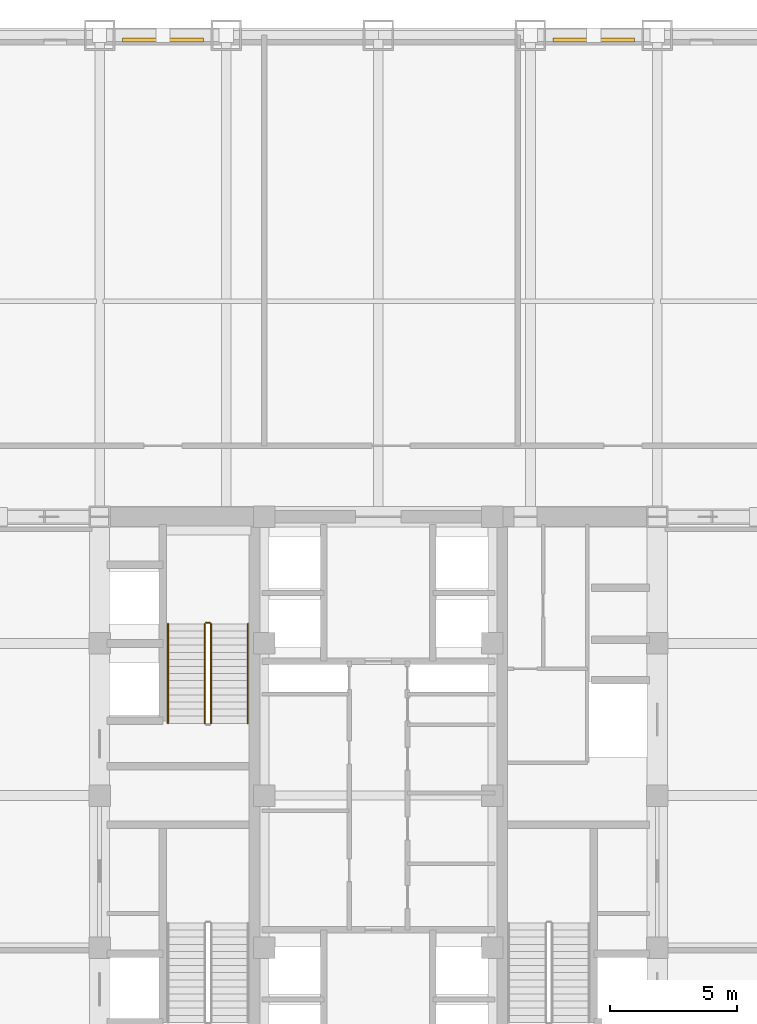
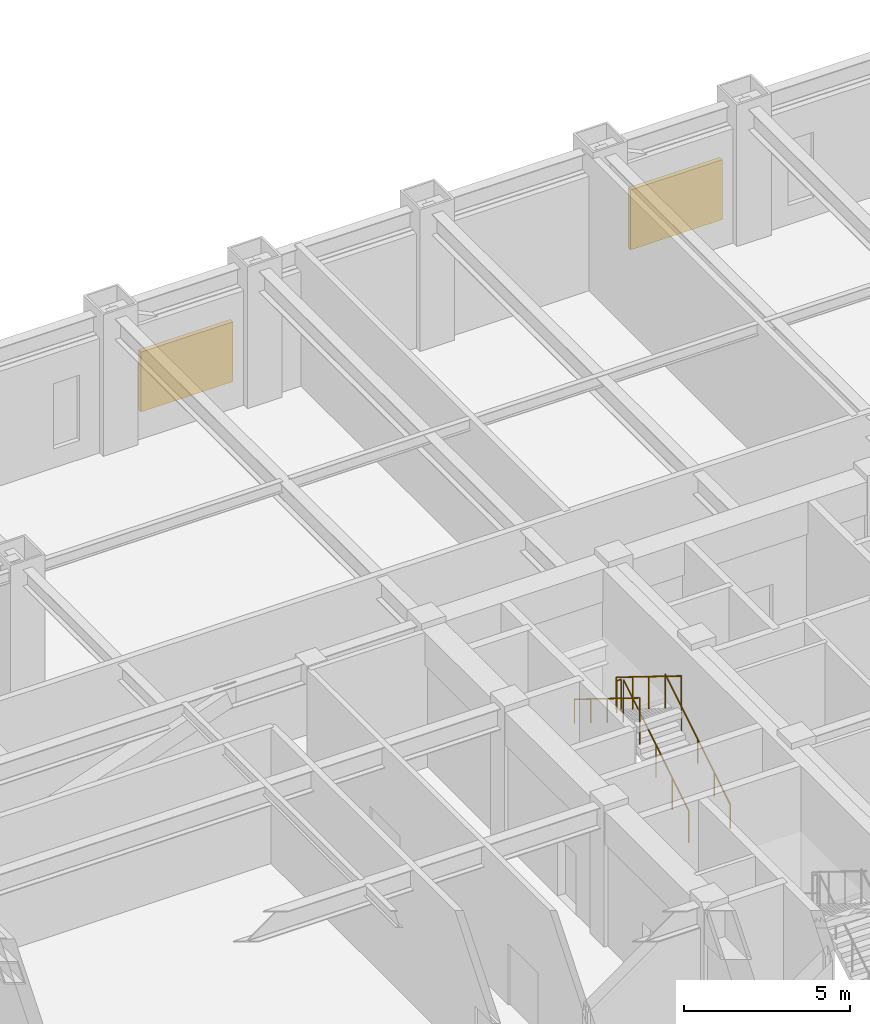
# One storey, part 12 of 12: 5 railings, 2 shading devices.
"""IFC4 building model written with IfcOpenShell, lengths in metres."""

from ifc_helpers import new_model, si_unit, direction, frame, origin, origin_2d, place, context, subcontext, project, spatial, rectangle, circle, extrude, source, transform, mapped, material, layer, layer_set, type_object, element, save


model = new_model("IFC4")

# Units and contexts
model_context = context("Model", 3, precision=1e-05, world=origin(), true_north=direction((0.0, 1.0)))
body_context = subcontext(model_context, "Body", "Model", "MODEL_VIEW")
ifc_project = project(units=[si_unit("LENGTHUNIT", "METRE"), si_unit("AREAUNIT", "SQUARE_METRE"), si_unit("VOLUMEUNIT", "CUBIC_METRE"), si_unit("PLANEANGLEUNIT", "RADIAN"), si_unit("MASSUNIT", "GRAM", prefix="KILO")], contexts=[model_context])

# Site, building, storey
site_placement = place(None, origin())
site = spatial("IfcSite", under=ifc_project, at=site_placement, CompositionType="ELEMENT")
building_placement = place(site_placement, origin())
building = spatial("IfcBuilding", under=site, at=building_placement, Name="Khorayat Bourse Tower", CompositionType="ELEMENT")
storey_placement = place(building_placement, frame((0.0, 0.0, 149.89990234375)))
storey = spatial("IfcBuildingStorey", under=building, at=storey_placement, Name="L34", CompositionType="ELEMENT", Elevation=149.89990234375)

# Shading devices
ifc_material_1 = material(Name="Anodised champagne aluminium", Category="aluminium")
ifc_layer = layer(ifc_material_1, 0.14990234375)
ifc_layer_set = layer_set([ifc_layer], Name="Anodised champagne aluminium")
shading_device_type = type_object("IfcShadingDeviceType", Name="SHD-PLANT-LOUVRE", PredefinedType="JALOUSIE", material=ifc_layer_set)
shared_shape_1 = source(origin(), body_context, "Body", "SweptSolid", [
    extrude(rectangle(XDim=3.199951171875, YDim=0.14990234375, at=origin_2d()), origin(), (0.0, 0.0, 1.0), 2.199951171875),
])
for number, where, z_axis, x_axis, name in (
    (1, (-8.5, 29.81005859375, 0.89990234375), (0.0, 0.0, 1.0), (1.0, 0.0, 0.0), "L34 Acoustic Plant Intake Louvre N-1"),
    (2, (8.5, 29.81005859375, 0.89990234375), (0.0, 0.0, 1.0), (1.0, 0.0, 0.0), "L34 Acoustic Plant Intake Louvre N-2"),
):
    element("IfcShadingDevice", number, at=place(storey_placement, frame(where, z_axis=z_axis, x_axis=x_axis)), inside=storey, type_object=shading_device_type, Name=name, PredefinedType="JALOUSIE", context=body_context, shape_type="MappedRepresentation", body=[
        mapped(shared_shape_1, transform((0.0, 0.0, 0.0), scale=1.0)),
    ])

# Railings
ifc_material_2 = material(Name="Powder-coated steel balustrade", Category="steel")
railing_type_1 = type_object("IfcRailingType", Name="RLG-GUARD-1200", PredefinedType="GUARDRAIL", material=ifc_material_2)
shared_shape_2 = source(origin(), body_context, "Body", "SweptSolid", [
    extrude(circle(Radius=0.02392578125, at=origin_2d()), frame((0.0, 0.0, 1.17578125), z_axis=(-1.0, 0.0, 0.0), x_axis=(0.0, -1.0, 0.0)), (0.0, 0.0, 1.0), 0.150146484375),
    extrude(circle(Radius=0.02099609375, at=origin_2d()), origin(), (0.0, 0.0, 1.0), 1.15185546875),
    extrude(circle(Radius=0.02099609375, at=origin_2d()), frame((-0.150146484375, 0.0, 0.0)), (0.0, 0.0, 1.0), 1.15185546875),
])
railing_1_placement = place(storey_placement, frame((-6.64990234375, 6.820068359375, 2.60009765625)))
element("IfcRailing", 3, at=railing_1_placement, inside=storey, type_object=railing_type_1, Name="L34 ST-2 stair guard 2", PredefinedType="GUARDRAIL", context=body_context, shape_type="MappedRepresentation", body=[
    mapped(shared_shape_2, transform((0.0, 0.0, 0.0), scale=1.0)),
])
shared_shape_3 = source(origin(), body_context, "Body", "SweptSolid", [
    extrude(circle(Radius=0.02392578125, at=origin_2d()), frame((0.0, 0.0, 1.17578125), z_axis=(0.0, 0.850251603719, 0.526376491091), x_axis=(-1.0, 0.0, 0.0)), (0.0, 0.0, 1.0), 4.6103515625),
    extrude(circle(Radius=0.02099609375, at=origin_2d()), origin(), (0.0, 0.0, 1.0), 1.15185546875),
    extrude(circle(Radius=0.02099609375, at=origin_2d()), frame((0.0, 0.97998046875, 0.606689453125)), (0.0, 0.0, 1.0), 1.15185546875),
    extrude(circle(Radius=0.02099609375, at=origin_2d()), frame((0.0, 1.9599609375, 1.21337890625)), (0.0, 0.0, 1.0), 1.15185546875),
    extrude(circle(Radius=0.02099609375, at=origin_2d()), frame((0.0, 2.93994140625, 1.820068359375)), (0.0, 0.0, 1.0), 1.15185546875),
    extrude(circle(Radius=0.02099609375, at=origin_2d()), frame((0.0, 3.919921875, 2.4267578125)), (0.0, 0.0, 1.0), 1.15185546875),
])
railing_2_placement = place(storey_placement, frame((-6.60009765625, 2.85009765625, 0.17333984375)))
element("IfcRailing", 4, at=railing_2_placement, inside=storey, type_object=railing_type_1, Name="L34 ST-2 stair guard 1", PredefinedType="GUARDRAIL", context=body_context, shape_type="MappedRepresentation", body=[
    mapped(shared_shape_3, transform((0.0, 0.0, 0.0), scale=1.0)),
])
ifc_material_3 = material(Name="Brushed bronze stainless-steel handrail", Category="steel")
railing_type_2 = type_object("IfcRailingType", Name="RLG-HAND-900", PredefinedType="HANDRAIL", material=ifc_material_3)
shared_shape_4 = source(origin(), body_context, "Body", "SweptSolid", [
    extrude(circle(Radius=0.02392578125, at=origin_2d()), frame((0.0, 0.0, 0.8759765625), z_axis=(0.0, 0.850251603719, 0.526376491091), x_axis=(-1.0, 0.0, 0.0)), (0.0, 0.0, 1.0), 4.6103515625),
    extrude(circle(Radius=0.02099609375, at=origin_2d()), origin(), (0.0, 0.0, 1.0), 0.851806640625),
    extrude(circle(Radius=0.02099609375, at=origin_2d()), frame((0.0, 0.97998046875, 0.606689453125)), (0.0, 0.0, 1.0), 0.851806640625),
    extrude(circle(Radius=0.02099609375, at=origin_2d()), frame((0.0, 1.9599609375, 1.21337890625)), (0.0, 0.0, 1.0), 0.851806640625),
    extrude(circle(Radius=0.02099609375, at=origin_2d()), frame((0.0, 2.93994140625, 1.820068359375)), (0.0, 0.0, 1.0), 0.851806640625),
    extrude(circle(Radius=0.02099609375, at=origin_2d()), frame((0.0, 3.919921875, 2.4267578125)), (0.0, 0.0, 1.0), 0.851806640625),
])
railing_3_placement = place(storey_placement, frame((-5.14990234375, 2.85009765625, 0.17333984375)))
element("IfcRailing", 5, at=railing_3_placement, inside=storey, type_object=railing_type_2, Name="L34 ST-2 stair handrail 1", PredefinedType="HANDRAIL", context=body_context, shape_type="MappedRepresentation", body=[
    mapped(shared_shape_4, transform((0.0, 0.0, 0.0), scale=1.0)),
])
shared_shape_5 = source(origin(), body_context, "Body", "SweptSolid", [
    extrude(circle(Radius=0.02392578125, at=origin_2d()), frame((0.0, 0.0, 1.17578125), z_axis=(0.0, -0.850251603719, 0.526376491091), x_axis=(1.0, 0.0, 0.0)), (0.0, 0.0, 1.0), 4.6103515625),
    extrude(circle(Radius=0.02099609375, at=origin_2d()), origin(), (0.0, 0.0, 1.0), 1.15185546875),
    extrude(circle(Radius=0.02099609375, at=origin_2d()), frame((0.0, -0.97998046875, 0.606689453125)), (0.0, 0.0, 1.0), 1.15185546875),
    extrude(circle(Radius=0.02099609375, at=origin_2d()), frame((0.0, -1.9599609375, 1.21337890625)), (0.0, 0.0, 1.0), 1.15185546875),
    extrude(circle(Radius=0.02099609375, at=origin_2d()), frame((0.0, -2.93994140625, 1.820068359375)), (0.0, 0.0, 1.0), 1.15185546875),
    extrude(circle(Radius=0.02099609375, at=origin_2d()), frame((0.0, -3.919921875, 2.4267578125)), (0.0, 0.0, 1.0), 1.15185546875),
])
railing_4_placement = place(storey_placement, frame((-6.85009765625, 6.77001953125, 2.7734375)))
element("IfcRailing", 6, at=railing_4_placement, inside=storey, type_object=railing_type_1, Name="L34 ST-2 stair guard 3", PredefinedType="GUARDRAIL", context=body_context, shape_type="MappedRepresentation", body=[
    mapped(shared_shape_5, transform((0.0, 0.0, 0.0), scale=1.0)),
])
shared_shape_6 = source(origin(), body_context, "Body", "SweptSolid", [
    extrude(circle(Radius=0.02392578125, at=origin_2d()), frame((0.0, 0.0, 0.8759765625), z_axis=(0.0, -0.850251603719, 0.526376491091), x_axis=(1.0, 0.0, 0.0)), (0.0, 0.0, 1.0), 4.6103515625),
    extrude(circle(Radius=0.02099609375, at=origin_2d()), origin(), (0.0, 0.0, 1.0), 0.851806640625),
    extrude(circle(Radius=0.02099609375, at=origin_2d()), frame((0.0, -0.97998046875, 0.606689453125)), (0.0, 0.0, 1.0), 0.851806640625),
    extrude(circle(Radius=0.02099609375, at=origin_2d()), frame((0.0, -1.9599609375, 1.21337890625)), (0.0, 0.0, 1.0), 0.851806640625),
    extrude(circle(Radius=0.02099609375, at=origin_2d()), frame((0.0, -2.93994140625, 1.820068359375)), (0.0, 0.0, 1.0), 0.851806640625),
    extrude(circle(Radius=0.02099609375, at=origin_2d()), frame((0.0, -3.919921875, 2.4267578125)), (0.0, 0.0, 1.0), 0.851806640625),
])
railing_5_placement = place(storey_placement, frame((-8.300048828125, 6.77001953125, 2.7734375)))
element("IfcRailing", 7, at=railing_5_placement, inside=storey, type_object=railing_type_2, Name="L34 ST-2 stair handrail 2", PredefinedType="HANDRAIL", context=body_context, shape_type="MappedRepresentation", body=[
    mapped(shared_shape_6, transform((0.0, 0.0, 0.0), scale=1.0)),
])

save(model, "model.ifc")
